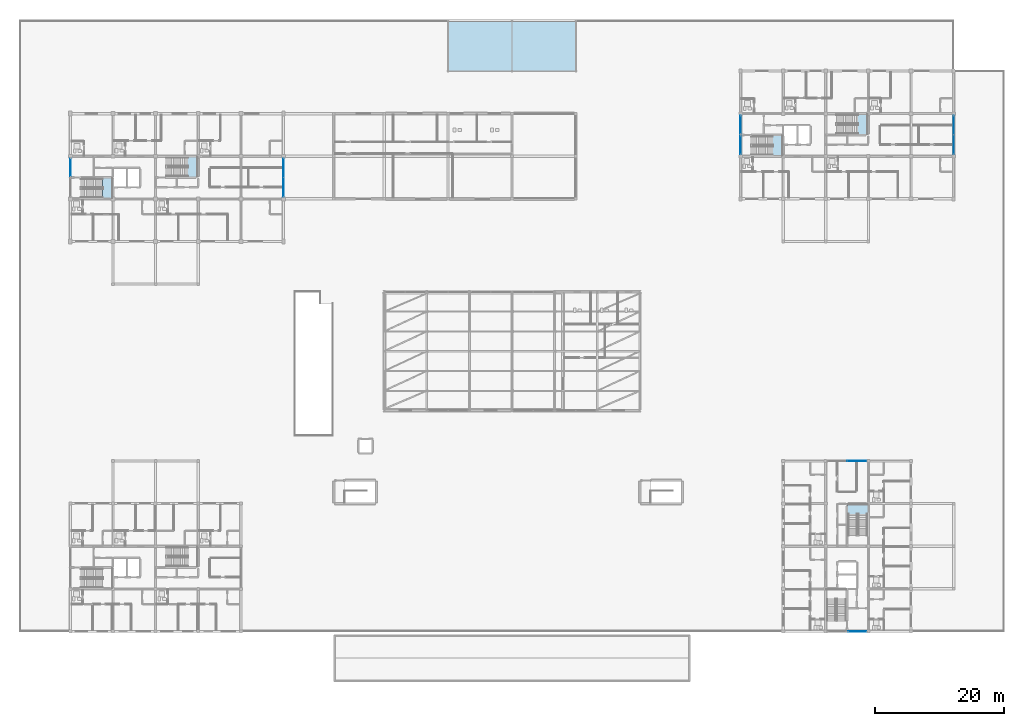
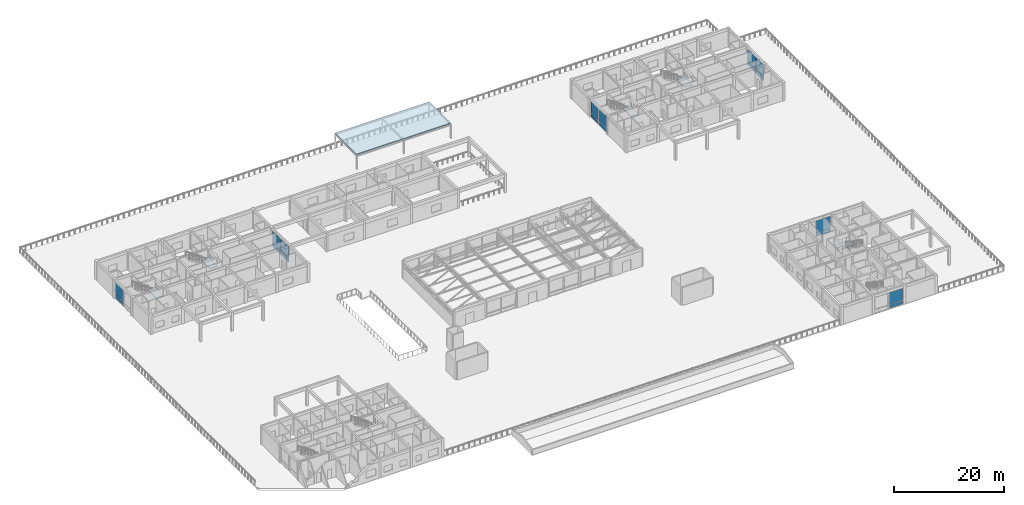
# One storey, part 53 of 92: 18 plates, 6 slabs, 12 elements without a shape of their own.
"""IFC4 building model written with IfcOpenShell, lengths in metres."""

from ifc_helpers import new_model, si_unit, direction, frame, origin, origin_2d, place, context, subcontext, project, spatial, polyline, rectangle, outline, extrude, material, layer, layer_set, type_object, element, aggregate, save


model = new_model("IFC4")

# Units and contexts
model_context = context("Model", 3, precision=1e-05, world=origin(), true_north=direction((0.0, 1.0)))
body_context = subcontext(model_context, "Body", "Model", "MODEL_VIEW")
ifc_project = project(units=[si_unit("LENGTHUNIT", "METRE"), si_unit("AREAUNIT", "SQUARE_METRE"), si_unit("VOLUMEUNIT", "CUBIC_METRE"), si_unit("PLANEANGLEUNIT", "RADIAN"), si_unit("MASSUNIT", "GRAM", prefix="KILO")], contexts=[model_context])

# Site, building, storey
site_placement = place(None, origin())
site = spatial("IfcSite", under=ifc_project, at=site_placement, CompositionType="ELEMENT")
building_placement = place(site_placement, origin())
building = spatial("IfcBuilding", under=site, at=building_placement, Name="Kernevlak Ridge Housing Community", CompositionType="ELEMENT")
storey_placement = place(building_placement, frame((0.0, 0.0, 4.199951171875)))
storey = spatial("IfcBuildingStorey", under=building, at=storey_placement, Name="L01", CompositionType="ELEMENT", Elevation=4.199951171875)

# Curtain wall, plate
ifc_material_1 = material(Name="Aluminium EN AW-6060 anodised and laminated glass", Category="aluminium")
curtain_wall_type_1 = type_object("IfcCurtainWallType", Name="CW-08", PredefinedType="NOTDEFINED", material=ifc_material_1)
curtain_wall_1_placement = place(storey_placement, origin())
curtain_wall_1 = element("IfcCurtainWall", 1, at=curtain_wall_1_placement, inside=storey, type_object=curtain_wall_type_1, Name="Curtain wall CW-08 CW-L01-005", PredefinedType="NOTDEFINED")
ifc_material_2 = material(Name="Acoustic laminated double glazing glass", Category="glass")
ifc_layer_1 = layer(ifc_material_2, 0.028076171875, Name="Acoustic laminated double glazing glass")
ifc_layer_set_1 = layer_set([ifc_layer_1], Name="Acoustic laminated double glazing glass")
plate_type_1 = type_object("IfcPlateType", Name="CP-02", PredefinedType="CURTAIN_PANEL", material=ifc_layer_set_1)
plate_1_placement = place(storey_placement, frame((15.60009765625, 87.455078125, 0.88232421875), z_axis=(0.0, 0.0, 1.0), x_axis=(0.0, 1.0, 0.0)))
plate_1 = element("IfcPlate", 2, at=plate_1_placement, type_object=plate_type_1, Name="CW-08 panel 1.2", PredefinedType="CURTAIN_PANEL", context=body_context, shape_type="SweptSolid", body=[
    extrude(rectangle(XDim=2.760009765625, YDim=0.028076171875, at=origin_2d()), origin(), (0.0, 0.0, 1.0), 2.652587890625),
])

# Curtain wall, plates
curtain_wall_type_2 = type_object("IfcCurtainWallType", Name="CW-11", PredefinedType="NOTDEFINED", material=ifc_material_1)
curtain_wall_2_placement = place(storey_placement, origin())
curtain_wall_2 = element("IfcCurtainWall", 3, at=curtain_wall_2_placement, inside=storey, type_object=curtain_wall_type_2, Name="Curtain wall CW-11 CW-L01-006", PredefinedType="NOTDEFINED")
plate_2_placement = place(storey_placement, frame((48.60009765625, 84.413818359375, 0.87744140625), z_axis=(0.0, 0.0, 1.0), x_axis=(0.0, 1.0, 0.0)))
plate_2 = element("IfcPlate", 4, at=plate_2_placement, type_object=plate_type_1, Name="CW-11 panel 1.2", PredefinedType="CURTAIN_PANEL", context=body_context, shape_type="SweptSolid", body=[
    extrude(rectangle(XDim=2.91748046875, YDim=0.028076171875, at=origin_2d()), origin(), (0.0, 0.0, 1.0), 2.66748046875),
])
plate_3_placement = place(storey_placement, frame((48.60009765625, 87.38623046875, 0.87744140625), z_axis=(0.0, 0.0, 1.0), x_axis=(0.0, 1.0, 0.0)))
plate_3 = element("IfcPlate", 5, at=plate_3_placement, type_object=plate_type_1, Name="CW-11 panel 2.2", PredefinedType="CURTAIN_PANEL", context=body_context, shape_type="SweptSolid", body=[
    extrude(rectangle(XDim=2.91748046875, YDim=0.028076171875, at=origin_2d()), origin(), (0.0, 0.0, 1.0), 2.66748046875),
])

# Curtain wall, plate
curtain_wall_type_3 = type_object("IfcCurtainWallType", Name="CW-05", PredefinedType="NOTDEFINED", material=ifc_material_1)
curtain_wall_3_placement = place(storey_placement, origin())
curtain_wall_3 = element("IfcCurtainWall", 6, at=curtain_wall_3_placement, inside=storey, type_object=curtain_wall_type_3, Name="Curtain wall CW-05 CW-L01-058", PredefinedType="NOTDEFINED")
plate_4_placement = place(storey_placement, frame((119.39990234375, 90.9326171875, 0.8798828125), z_axis=(0.0, 0.0, 1.0), x_axis=(0.0, 1.0, 0.0)))
plate_4 = element("IfcPlate", 7, at=plate_4_placement, type_object=plate_type_1, Name="CW-05 panel 1.2", PredefinedType="CURTAIN_PANEL", context=body_context, shape_type="SweptSolid", body=[
    extrude(rectangle(XDim=2.794921875, YDim=0.028076171875, at=origin_2d()), origin(), (0.0, 0.0, 1.0), 2.659912109375),
])

curtain_wall_4_placement = place(storey_placement, origin())
curtain_wall_4 = element("IfcCurtainWall", 8, at=curtain_wall_4_placement, inside=storey, type_object=curtain_wall_type_2, Name="Curtain wall CW-11 CW-L01-059", PredefinedType="NOTDEFINED")
plate_5_placement = place(storey_placement, frame((119.39990234375, 94.0673828125, 0.88232421875), z_axis=(0.0, 0.0, 1.0), x_axis=(0.0, 1.0, 0.0)))
plate_5 = element("IfcPlate", 9, at=plate_5_placement, type_object=plate_type_1, Name="CW-11 panel 1.2", PredefinedType="CURTAIN_PANEL", context=body_context, shape_type="SweptSolid", body=[
    extrude(rectangle(XDim=2.784912109375, YDim=0.028076171875, at=origin_2d()), origin(), (0.0, 0.0, 1.0), 2.652587890625),
])

# Curtain wall, plates
curtain_wall_type_4 = type_object("IfcCurtainWallType", Name="CW-13", PredefinedType="NOTDEFINED", material=ifc_material_1)
curtain_wall_5_placement = place(storey_placement, origin())
curtain_wall_5 = element("IfcCurtainWall", 10, at=curtain_wall_5_placement, inside=storey, type_object=curtain_wall_type_4, Name="Curtain wall CW-13 CW-L01-060", PredefinedType="NOTDEFINED")
plate_6_placement = place(storey_placement, frame((152.39990234375, 91.001220703125, 0.87744140625), z_axis=(0.0, 0.0, 1.0), x_axis=(0.0, 1.0, 0.0)))
plate_6 = element("IfcPlate", 11, at=plate_6_placement, type_object=plate_type_1, Name="CW-13 panel 1.2", PredefinedType="CURTAIN_PANEL", context=body_context, shape_type="SweptSolid", body=[
    extrude(rectangle(XDim=2.9423828125, YDim=0.028076171875, at=origin_2d()), origin(), (0.0, 0.0, 1.0), 2.66748046875),
])
plate_7_placement = place(storey_placement, frame((152.39990234375, 93.998779296875, 0.87744140625), z_axis=(0.0, 0.0, 1.0), x_axis=(0.0, 1.0, 0.0)))
plate_7 = element("IfcPlate", 12, at=plate_7_placement, type_object=plate_type_1, Name="CW-13 panel 2.2", PredefinedType="CURTAIN_PANEL", context=body_context, shape_type="SweptSolid", body=[
    extrude(rectangle(XDim=2.9423828125, YDim=0.028076171875, at=origin_2d()), origin(), (0.0, 0.0, 1.0), 2.66748046875),
])

# Curtain wall, plate
curtain_wall_type_5 = type_object("IfcCurtainWallType", Name="CW-14", PredefinedType="NOTDEFINED", material=ifc_material_1)
curtain_wall_6_placement = place(storey_placement, origin())
curtain_wall_6 = element("IfcCurtainWall", 13, at=curtain_wall_6_placement, inside=storey, type_object=curtain_wall_type_5, Name="Curtain wall CW-14 CW-L01-104", PredefinedType="NOTDEFINED")
plate_8_placement = place(storey_placement, frame((137.47998046875, 15.60009765625, 0.88232421875), z_axis=(0.0, 0.0, 1.0), x_axis=(1.0, 0.0, 0.0)))
plate_8 = element("IfcPlate", 14, at=plate_8_placement, type_object=plate_type_1, Name="CW-14 panel 1.2", PredefinedType="CURTAIN_PANEL", context=body_context, shape_type="SweptSolid", body=[
    extrude(rectangle(XDim=2.81005859375, YDim=0.028076171875, at=origin_2d()), origin(), (0.0, 0.0, 1.0), 2.652587890625),
])

curtain_wall_type_6 = type_object("IfcCurtainWallType", Name="CW-01", PredefinedType="NOTDEFINED", material=ifc_material_1)
curtain_wall_7_placement = place(storey_placement, origin())
curtain_wall_7 = element("IfcCurtainWall", 15, at=curtain_wall_7_placement, inside=storey, type_object=curtain_wall_type_6, Name="Curtain wall CW-01 CW-L01-105", PredefinedType="NOTDEFINED")
plate_9_placement = place(storey_placement, frame((137.4111328125, 42.0, 0.87744140625), z_axis=(0.0, 0.0, 1.0), x_axis=(1.0, 0.0, 0.0)))
plate_9 = element("IfcPlate", 16, at=plate_9_placement, type_object=plate_type_1, Name="CW-01 panel 2.2", PredefinedType="CURTAIN_PANEL", context=body_context, shape_type="SweptSolid", body=[
    extrude(rectangle(XDim=2.967529296875, YDim=0.028076171875, at=origin_2d()), origin(), (0.0, 0.0, 1.0), 2.66748046875),
])

# Plate
ifc_material_3 = material(Name="Aluminium EN AW-5005 enamelled panel", Category="aluminium")
ifc_layer_2 = layer(ifc_material_3, 0.033935546875, Name="Aluminium EN AW-5005 enamelled panel")
ifc_layer_set_2 = layer_set([ifc_layer_2], Name="Aluminium EN AW-5005 enamelled panel")
plate_type_2 = type_object("IfcPlateType", Name="CP-03", PredefinedType="CURTAIN_PANEL", material=ifc_layer_set_2)
plate_10_placement = place(storey_placement, frame((152.39990234375, 91.001220703125, 0.054931640625), z_axis=(0.0, 0.0, 1.0), x_axis=(0.0, 1.0, 0.0)))
plate_10 = element("IfcPlate", 17, at=plate_10_placement, type_object=plate_type_2, Name="CW-13 panel 1.1", PredefinedType="CURTAIN_PANEL", context=body_context, shape_type="SweptSolid", body=[
    extrude(rectangle(XDim=2.9423828125, YDim=0.033935546875, at=origin_2d()), origin(), (0.0, 0.0, 1.0), 0.767578125),
])

plate_11_placement = place(storey_placement, frame((152.39990234375, 93.998779296875, 0.054931640625), z_axis=(0.0, 0.0, 1.0), x_axis=(0.0, 1.0, 0.0)))
plate_11 = element("IfcPlate", 18, at=plate_11_placement, type_object=plate_type_2, Name="CW-13 panel 2.1", PredefinedType="CURTAIN_PANEL", context=body_context, shape_type="SweptSolid", body=[
    extrude(rectangle(XDim=2.9423828125, YDim=0.033935546875, at=origin_2d()), origin(), (0.0, 0.0, 1.0), 0.767578125),
])

aggregate(curtain_wall_5, [plate_10, plate_6, plate_11, plate_7])

plate_12_placement = place(storey_placement, frame((137.47998046875, 15.60009765625, 0.065185546875), z_axis=(0.0, 0.0, 1.0), x_axis=(1.0, 0.0, 0.0)))
plate_12 = element("IfcPlate", 19, at=plate_12_placement, type_object=plate_type_2, Name="CW-14 panel 1.1", PredefinedType="CURTAIN_PANEL", context=body_context, shape_type="SweptSolid", body=[
    extrude(rectangle(XDim=2.81005859375, YDim=0.033935546875, at=origin_2d()), origin(), (0.0, 0.0, 1.0), 0.75244140625),
])

aggregate(curtain_wall_6, [plate_12, plate_8])

ifc_layer_3 = layer(ifc_material_3, 0.0380859375, Name="Aluminium EN AW-5005 enamelled panel")
ifc_layer_set_3 = layer_set([ifc_layer_3], Name="Aluminium EN AW-5005 enamelled panel")
plate_type_3 = type_object("IfcPlateType", Name="CP-04", PredefinedType="CURTAIN_PANEL", material=ifc_layer_set_3)
plate_13_placement = place(storey_placement, frame((137.4111328125, 42.0, 0.054931640625), z_axis=(0.0, 0.0, 1.0), x_axis=(1.0, 0.0, 0.0)))
plate_13 = element("IfcPlate", 20, at=plate_13_placement, type_object=plate_type_3, Name="CW-01 panel 2.1", PredefinedType="CURTAIN_PANEL", context=body_context, shape_type="SweptSolid", body=[
    extrude(rectangle(XDim=2.967529296875, YDim=0.0380859375, at=origin_2d()), origin(), (0.0, 0.0, 1.0), 0.767578125),
])

aggregate(curtain_wall_7, [plate_13, plate_9])

ifc_material_4 = material(Name="Aluminium EN AW-5005 insulated panel", Category="aluminium")
ifc_layer_4 = layer(ifc_material_4, 0.0458984375, Name="Aluminium EN AW-5005 insulated panel")
ifc_layer_set_4 = layer_set([ifc_layer_4], Name="Aluminium EN AW-5005 insulated panel")
plate_type_4 = type_object("IfcPlateType", Name="CP-06", PredefinedType="CURTAIN_PANEL", material=ifc_layer_set_4)
plate_14_placement = place(storey_placement, frame((15.60009765625, 87.455078125, 0.065185546875), z_axis=(0.0, 0.0, 1.0), x_axis=(0.0, 1.0, 0.0)))
plate_14 = element("IfcPlate", 21, at=plate_14_placement, type_object=plate_type_4, Name="CW-08 panel 1.1", PredefinedType="CURTAIN_PANEL", context=body_context, shape_type="SweptSolid", body=[
    extrude(rectangle(XDim=2.760009765625, YDim=0.0458984375, at=origin_2d()), origin(), (0.0, 0.0, 1.0), 0.75244140625),
])

aggregate(curtain_wall_1, [plate_14, plate_1])

plate_15_placement = place(storey_placement, frame((119.39990234375, 90.9326171875, 0.06005859375), z_axis=(0.0, 0.0, 1.0), x_axis=(0.0, 1.0, 0.0)))
plate_15 = element("IfcPlate", 22, at=plate_15_placement, type_object=plate_type_4, Name="CW-05 panel 1.1", PredefinedType="CURTAIN_PANEL", context=body_context, shape_type="SweptSolid", body=[
    extrude(rectangle(XDim=2.794921875, YDim=0.0458984375, at=origin_2d()), origin(), (0.0, 0.0, 1.0), 0.760009765625),
])

aggregate(curtain_wall_3, [plate_15, plate_4])

ifc_layer_5 = layer(ifc_material_4, 0.050048828125, Name="Aluminium EN AW-5005 insulated panel")
ifc_layer_set_5 = layer_set([ifc_layer_5], Name="Aluminium EN AW-5005 insulated panel")
plate_type_5 = type_object("IfcPlateType", Name="CP-07", PredefinedType="CURTAIN_PANEL", material=ifc_layer_set_5)
plate_16_placement = place(storey_placement, frame((48.60009765625, 84.413818359375, 0.054931640625), z_axis=(0.0, 0.0, 1.0), x_axis=(0.0, 1.0, 0.0)))
plate_16 = element("IfcPlate", 23, at=plate_16_placement, type_object=plate_type_5, Name="CW-11 panel 1.1", PredefinedType="CURTAIN_PANEL", context=body_context, shape_type="SweptSolid", body=[
    extrude(rectangle(XDim=2.91748046875, YDim=0.050048828125, at=origin_2d()), origin(), (0.0, 0.0, 1.0), 0.767578125),
])

plate_17_placement = place(storey_placement, frame((48.60009765625, 87.38623046875, 0.054931640625), z_axis=(0.0, 0.0, 1.0), x_axis=(0.0, 1.0, 0.0)))
plate_17 = element("IfcPlate", 24, at=plate_17_placement, type_object=plate_type_5, Name="CW-11 panel 2.1", PredefinedType="CURTAIN_PANEL", context=body_context, shape_type="SweptSolid", body=[
    extrude(rectangle(XDim=2.91748046875, YDim=0.050048828125, at=origin_2d()), origin(), (0.0, 0.0, 1.0), 0.767578125),
])

aggregate(curtain_wall_2, [plate_16, plate_2, plate_17, plate_3])

plate_18_placement = place(storey_placement, frame((119.39990234375, 94.0673828125, 0.065185546875), z_axis=(0.0, 0.0, 1.0), x_axis=(0.0, 1.0, 0.0)))
plate_18 = element("IfcPlate", 25, at=plate_18_placement, type_object=plate_type_5, Name="CW-11 panel 1.1", PredefinedType="CURTAIN_PANEL", context=body_context, shape_type="SweptSolid", body=[
    extrude(rectangle(XDim=2.784912109375, YDim=0.050048828125, at=origin_2d()), origin(), (0.0, 0.0, 1.0), 0.75244140625),
])

aggregate(curtain_wall_4, [plate_18, plate_5])

# Slab
ifc_material_5 = material(Name="Concrete C35/45", Category="concrete")
ifc_layer_6 = layer(ifc_material_5, 0.179931640625, Name="Concrete C35/45")
ifc_layer_set_6 = layer_set([ifc_layer_6], Name="Concrete C35/45")
slab_type_1 = type_object("IfcSlabType", Name="SL-09", PredefinedType="ROOF", material=ifc_layer_set_6)
slab_1_placement = place(storey_placement, frame((0.0, 0.0, 3.219970703125)))
element("IfcSlab", 26, at=slab_1_placement, inside=storey, type_object=slab_type_1, Name="North escarpment street gateway canopy roof slab", PredefinedType="ROOF", context=body_context, shape_type="SweptSolid", body=[
    extrude(outline(polyline([(74.10009765625, 102.39990234375), (93.89990234375, 102.39990234375), (93.89990234375, 110.199951171875), (74.10009765625, 110.199951171875), (74.10009765625, 102.39990234375)])), origin(), (0.0, 0.0, 1.0), 0.18017578125),
])

# Stair, slab
stair_type = type_object("IfcStairType", Name="SR-02", PredefinedType="HALF_TURN_STAIR", material=ifc_material_5)
stair_1_placement = place(storey_placement, origin())
stair_1 = element("IfcStair", 27, at=stair_1_placement, inside=storey, type_object=stair_type, Name="Stair ST-A1 L01", PredefinedType="HALF_TURN_STAIR")
ifc_layer_7 = layer(ifc_material_5, 0.18994140625, Name="Concrete C35/45")
ifc_layer_set_7 = layer_set([ifc_layer_7], Name="Concrete C35/45")
slab_type_2 = type_object("IfcSlabType", Name="SL-13", PredefinedType="LANDING", material=ifc_layer_set_7)
slab_2_placement = place(storey_placement, frame((0.0, 0.0, 1.91015625)))
slab_2 = element("IfcSlab", 28, at=slab_2_placement, type_object=slab_type_2, Name="SR-02 landing 1", PredefinedType="LANDING", context=body_context, shape_type="SweptSolid", body=[
    extrude(outline(polyline([(20.5400390625, 82.64990234375), (22.14990234375, 82.64990234375), (22.14990234375, 85.85009765625), (20.5400390625, 85.85009765625), (20.5400390625, 82.64990234375)])), origin(), (0.0, 0.0, 1.0), 0.18994140625),
])
aggregate(stair_1, [slab_2])

stair_2_placement = place(storey_placement, origin())
stair_2 = element("IfcStair", 29, at=stair_2_placement, inside=storey, type_object=stair_type, Name="Stair ST-A2 L01", PredefinedType="HALF_TURN_STAIR")
slab_3_placement = place(storey_placement, frame((0.0, 0.0, 1.91015625)))
slab_3 = element("IfcSlab", 30, at=slab_3_placement, type_object=slab_type_2, Name="SR-02 landing 1", PredefinedType="LANDING", context=body_context, shape_type="SweptSolid", body=[
    extrude(outline(polyline([(33.739990234375, 85.949951171875), (35.35009765625, 85.949951171875), (35.35009765625, 89.14990234375), (33.739990234375, 89.14990234375), (33.739990234375, 85.949951171875)])), origin(), (0.0, 0.0, 1.0), 0.18994140625),
])
aggregate(stair_2, [slab_3])

stair_3_placement = place(storey_placement, origin())
stair_3 = element("IfcStair", 31, at=stair_3_placement, inside=storey, type_object=stair_type, Name="Stair ST-B1 L01", PredefinedType="HALF_TURN_STAIR")
slab_4_placement = place(storey_placement, frame((0.0, 0.0, 1.91015625)))
slab_4 = element("IfcSlab", 32, at=slab_4_placement, type_object=slab_type_2, Name="SR-02 landing 1", PredefinedType="LANDING", context=body_context, shape_type="SweptSolid", body=[
    extrude(outline(polyline([(124.340087890625, 89.25), (125.949951171875, 89.25), (125.949951171875, 92.449951171875), (124.340087890625, 92.449951171875), (124.340087890625, 89.25)])), origin(), (0.0, 0.0, 1.0), 0.18994140625),
])
aggregate(stair_3, [slab_4])

stair_4_placement = place(storey_placement, origin())
stair_4 = element("IfcStair", 33, at=stair_4_placement, inside=storey, type_object=stair_type, Name="Stair ST-B2 L01", PredefinedType="HALF_TURN_STAIR")
slab_5_placement = place(storey_placement, frame((0.0, 0.0, 1.91015625)))
slab_5 = element("IfcSlab", 34, at=slab_5_placement, type_object=slab_type_2, Name="SR-02 landing 1", PredefinedType="LANDING", context=body_context, shape_type="SweptSolid", body=[
    extrude(outline(polyline([(137.5400390625, 92.550048828125), (139.14990234375, 92.550048828125), (139.14990234375, 95.75), (137.5400390625, 95.75), (137.5400390625, 92.550048828125)])), origin(), (0.0, 0.0, 1.0), 0.18994140625),
])
aggregate(stair_4, [slab_5])

stair_5_placement = place(storey_placement, origin())
stair_5 = element("IfcStair", 35, at=stair_5_placement, inside=storey, type_object=stair_type, Name="Stair ST-C2 L01", PredefinedType="HALF_TURN_STAIR")
slab_6_placement = place(storey_placement, frame((0.0, 0.0, 1.91015625)))
slab_6 = element("IfcSlab", 36, at=slab_6_placement, type_object=slab_type_2, Name="SR-02 landing 1", PredefinedType="LANDING", context=body_context, shape_type="SweptSolid", body=[
    extrude(outline(polyline([(139.14990234375, 33.739990234375), (139.14990234375, 35.35009765625), (135.949951171875, 35.35009765625), (135.949951171875, 33.739990234375), (139.14990234375, 33.739990234375)])), origin(), (0.0, 0.0, 1.0), 0.18994140625),
])
aggregate(stair_5, [slab_6])

save(model, "model.ifc")
